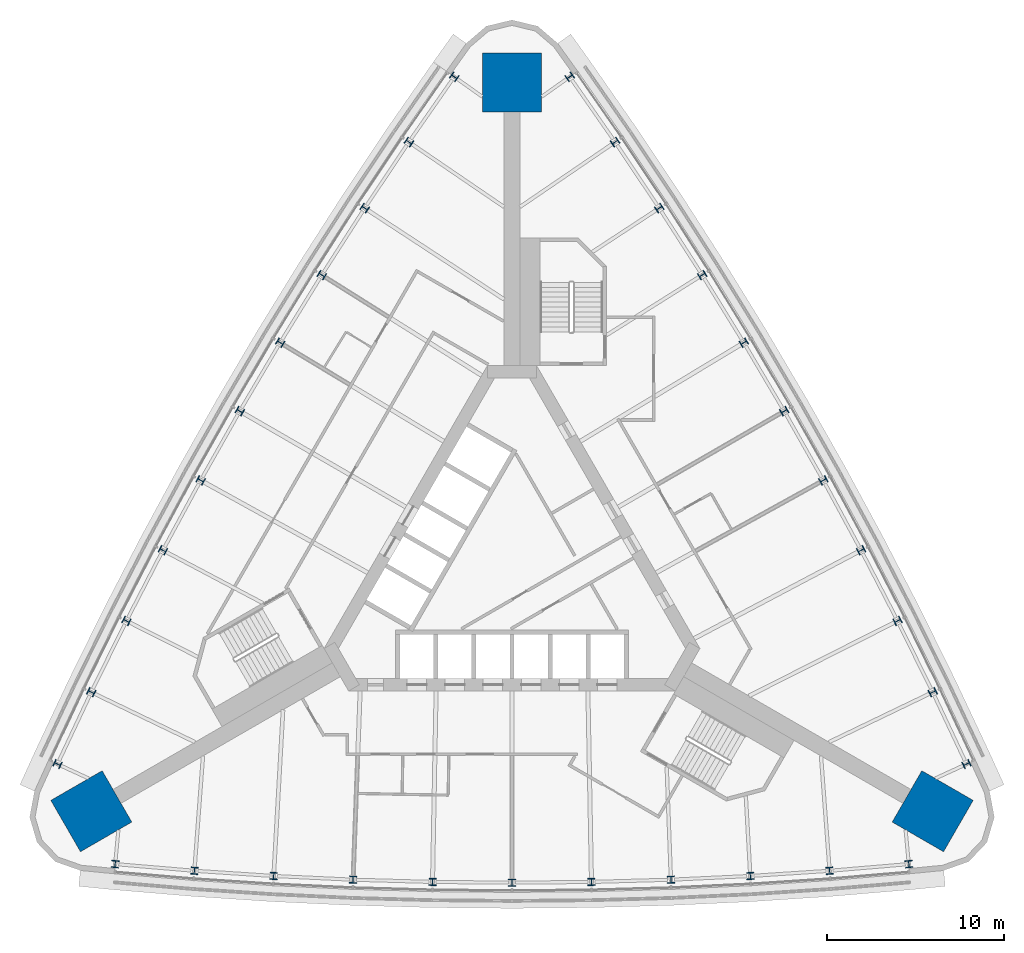
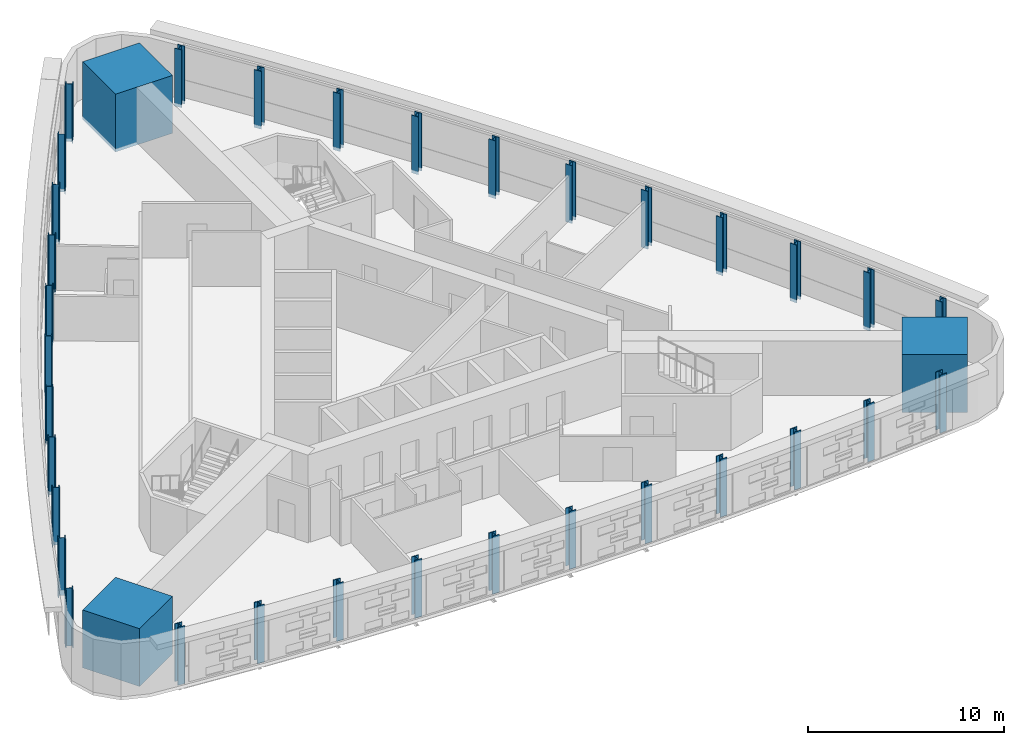
# One storey, part 1 of 14: 36 columns.
"""IFC4 building model written with IfcOpenShell, lengths in metres."""

import ifcopenshell
import ifcopenshell.guid

model = None  # the IFC model being written
_history = None  # IfcOwnerHistory: only IFC2X3 demands one
_inside = {}  # id of a spatial element -> (the spatial element, [elements in it])
_under = {}  # id of a project, library or spatial element -> (it, [spatial elements below it])
_declared = {}  # id of a project -> (the project, [libraries it declares])
_typed = {}  # id of a type object -> (the type object, [elements of that type])
_made_of = {}  # id of a material, layer set ... -> (it, [elements and type objects made of it])


def new_model(schema):
    """Start an empty IFC model of exactly this schema.

    Asked for "IFC4X3", IfcOpenShell would pick the latest addendum, in which some entities
    have other attributes; the version numbers below select the first issue.
    IFC2X3 requires an IfcOwnerHistory on every rooted entity: one is made here for all.
    """
    global model, _history
    if schema == "IFC4X3":
        model = ifcopenshell.file(schema_version=(4, 3, 0, 0))
    else:
        model = ifcopenshell.file(schema=schema)
    _inside.clear()
    _under.clear()
    _declared.clear()
    _typed.clear()
    _made_of.clear()
    _history = None
    if model.schema == "IFC2X3":
        org = make("IfcOrganization", Name="unknown")
        user = make(
            "IfcPersonAndOrganization",
            ThePerson=make("IfcPerson", FamilyName="unknown"),
            TheOrganization=org,
        )
        app = make(
            "IfcApplication",
            ApplicationDeveloper=org,
            Version="unknown",
            ApplicationFullName="unknown",
            ApplicationIdentifier="unknown",
        )
        _history = make(
            "IfcOwnerHistory",
            OwningUser=user,
            OwningApplication=app,
            ChangeAction="ADDED",
            CreationDate=0,
        )
    return model


def make(cls, **values):
    """One entity of the class cls with the attributes given. An attribute that is None is left unset."""
    return model.create_entity(
        cls, **{name: value for name, value in values.items() if value is not None}
    )


def rooted(cls, **values):
    """An entity with a GlobalId (a new one), such as an element, a storey or a relation."""
    return make(cls, GlobalId=ifcopenshell.guid.new(), OwnerHistory=_history, **values)


def si_unit(unit_type, name, prefix=None):
    """IfcSIUnit, for example si_unit("LENGTHUNIT", "METRE", prefix="MILLI")."""
    return make("IfcSIUnit", UnitType=unit_type, Prefix=prefix, Name=name)


def assignment(units):
    """IfcUnitAssignment: the units of a project."""
    return None if units is None else make("IfcUnitAssignment", Units=units)


def point(xyz):
    """IfcCartesianPoint."""
    return None if xyz is None else make("IfcCartesianPoint", Coordinates=xyz)


def direction(xyz):
    """IfcDirection."""
    return None if xyz is None else make("IfcDirection", DirectionRatios=xyz)


def frame(location, z_axis=None, x_axis=None):
    """IfcAxis2Placement3D, a coordinate frame: its origin and axes. An axis left out is left unset."""
    return make(
        "IfcAxis2Placement3D",
        Location=point(location),
        Axis=direction(z_axis),
        RefDirection=direction(x_axis),
    )


def frame_2d(location, x_axis=None):
    """IfcAxis2Placement2D, a coordinate frame in the plane: its origin and x axis."""
    return make(
        "IfcAxis2Placement2D", Location=point(location), RefDirection=direction(x_axis)
    )


def origin():
    """The frame at (0, 0, 0) with its axes left unset."""
    return frame((0.0, 0.0, 0.0))


def origin_2d():
    """The frame at (0, 0) in the plane with its x axis left unset."""
    return frame_2d((0.0, 0.0))


def place(relative_to, where):
    """IfcLocalPlacement: puts the frame where relative to a parent placement (None: the world)."""
    return make(
        "IfcLocalPlacement", PlacementRelTo=relative_to, RelativePlacement=where
    )


def context(
    kind, dimensions, precision=None, world=None, true_north=None, identifier=None
):
    """IfcGeometricRepresentationContext, for example the 3D "Model" context."""
    return make(
        "IfcGeometricRepresentationContext",
        ContextIdentifier=identifier,
        ContextType=kind,
        CoordinateSpaceDimension=dimensions,
        Precision=precision,
        WorldCoordinateSystem=world,
        TrueNorth=true_north,
    )


def subcontext(parent, identifier, kind, view, scale=None):
    """IfcGeometricRepresentationSubContext, for example "Body" below "Model"."""
    return make(
        "IfcGeometricRepresentationSubContext",
        ContextIdentifier=identifier,
        ContextType=kind,
        ParentContext=parent,
        TargetScale=scale,
        TargetView=view,
    )


def project(units=None, contexts=None):
    """IfcProject with its units and contexts."""
    return rooted(
        "IfcProject",
        Name="project",
        RepresentationContexts=contexts,
        UnitsInContext=assignment(units),
    )


def spatial(cls, under=None, at=None, **own):
    """A site, building, storey or space (cls), placed at a placement, below another one or the project."""
    s = rooted(cls, ObjectPlacement=at, **own)
    if under is not None:
        _under.setdefault(under.id(), (under, []))[1].append(s)
    return s


def profile(cls, at=None, kind="AREA", **sizes):
    """A parametric profile (cls). Its sizes go by their IFC names, for example OverallWidth=200.0."""
    return make(cls, ProfileType=kind, Position=at, **sizes)


def rectangle(**sizes):
    """IfcRectangleProfileDef."""
    return profile("IfcRectangleProfileDef", **sizes)


def i_section(**sizes):
    """IfcIShapeProfileDef."""
    return profile("IfcIShapeProfileDef", **sizes)


def extrude(swept, where, along, depth):
    """IfcExtrudedAreaSolid: the profile swept, set in the frame where, extruded along a direction by depth."""
    return make(
        "IfcExtrudedAreaSolid",
        SweptArea=swept,
        Position=where,
        ExtrudedDirection=direction(along),
        Depth=depth,
    )


def shape(context_of_items, identifier, shape_type, items):
    """IfcShapeRepresentation: the items that make up one representation, for example the "Body"."""
    return make(
        "IfcShapeRepresentation",
        ContextOfItems=context_of_items,
        RepresentationIdentifier=identifier,
        RepresentationType=shape_type,
        Items=items,
    )


def material(Name=None, Category=None):
    """IfcMaterial."""
    return make("IfcMaterial", Name=Name, Category=Category)


def material_profile(
    of_material, cross_section, Name=None, Category=None, Priority=None
):
    """IfcMaterialProfile: a cross section and its material."""
    return make(
        "IfcMaterialProfile",
        Name=Name,
        Material=of_material,
        Profile=cross_section,
        Priority=Priority,
        Category=Category,
    )


def profile_set(profiles, Name=None, composite=None):
    """IfcMaterialProfileSet."""
    return make(
        "IfcMaterialProfileSet",
        Name=Name,
        MaterialProfiles=profiles,
        CompositeProfile=composite,
    )


def made_of(thing, what):
    """Note that an element or type object is made of a material, layer set ...; save() writes the relation."""
    if what is not None:
        _made_of.setdefault(what.id(), (what, []))[1].append(thing)
    return thing


def type_object(cls, material=None, **own):
    """A type object (cls), such as IfcWallType, which elements share."""
    return made_of(rooted(cls, **own), material)


def element(
    cls,
    number,
    at=None,
    inside=None,
    cuts=None,
    type_object=None,
    material=None,
    context=None,
    identifier="Body",
    shape_type=None,
    held_by="IfcProductDefinitionShape",
    body=None,
    shapes=None,
    **own,
):
    """One element of the class cls, such as IfcWall. Its Tag is "e" and its number.

    at: its placement. inside: the storey or other place that contains it. cuts: it is an
    opening in that element (IfcRelVoidsElement). A single representation is given by context,
    identifier, shape_type and body (its items); several are given by shapes. held_by: the class
    of the entity that holds the representations. save() writes the other relations.
    """
    e = rooted(cls, Tag="e%d" % number, ObjectPlacement=at, **own)
    if body is not None:
        shapes = [shape(context, identifier, shape_type, body)]
    if shapes is not None:
        e.Representation = make(held_by, Representations=shapes)
    if inside is not None:
        _inside.setdefault(inside.id(), (inside, []))[1].append(e)
    if cuts is not None:
        rooted(
            "IfcRelVoidsElement", RelatingBuildingElement=cuts, RelatedOpeningElement=e
        )
    if type_object is not None:
        _typed.setdefault(type_object.id(), (type_object, []))[1].append(e)
    return made_of(e, material)


def aggregate(whole, parts):
    """IfcRelAggregates: a whole, such as a stair, and the parts it consists of."""
    return rooted("IfcRelAggregates", RelatingObject=whole, RelatedObjects=parts)


def save(model, path):
    """Write the relations noted so far, then the file.

    IfcRelAggregates (storeys below a building ...), IfcRelContainedInSpatialStructure (elements
    in a storey), IfcRelDefinesByType, IfcRelAssociatesMaterial and IfcRelDeclares: one each for
    every whole, place, type object, material and project.
    """
    for whole, parts in _under.values():
        aggregate(whole, parts)
    for where, things in _inside.values():
        rooted(
            "IfcRelContainedInSpatialStructure",
            RelatedElements=things,
            RelatingStructure=where,
        )
    for kind, things in _typed.values():
        rooted("IfcRelDefinesByType", RelatedObjects=things, RelatingType=kind)
    for what, things in _made_of.values():
        rooted("IfcRelAssociatesMaterial", RelatedObjects=things, RelatingMaterial=what)
    for by, libraries in _declared.values():
        rooted("IfcRelDeclares", RelatingContext=by, RelatedDefinitions=libraries)
    model.write(path)


model = new_model("IFC4")

# Units and contexts
model_context = context("Model", 3, precision=1e-05, world=origin(), true_north=direction((0.0, 1.0)))
body_context = subcontext(model_context, "Body", "Model", "MODEL_VIEW")
ifc_project = project(units=[si_unit("LENGTHUNIT", "METRE"), si_unit("AREAUNIT", "SQUARE_METRE"), si_unit("VOLUMEUNIT", "CUBIC_METRE"), si_unit("PLANEANGLEUNIT", "RADIAN"), si_unit("MASSUNIT", "GRAM", prefix="KILO")], contexts=[model_context])

# Site, building, storey
site_placement = place(None, origin())
site = spatial("IfcSite", under=ifc_project, at=site_placement, CompositionType="ELEMENT")
building_placement = place(site_placement, origin())
building = spatial("IfcBuilding", under=site, at=building_placement, Name="Noor Cloister Tower", CompositionType="ELEMENT")
storey_placement = place(building_placement, frame((0.0, 0.0, 42.0)))
storey = spatial("IfcBuildingStorey", under=building, at=storey_placement, Name="L10", CompositionType="ELEMENT", Elevation=42.0)

# Columns
ifc_material_1 = material(Name="Steel ASTM A992 Gr 50", Category="steel")
ifc_material_profile_1 = material_profile(ifc_material_1, i_section(OverallWidth=0.404052734375, OverallDepth=0.406005859375, WebThickness=0.027099609375, FlangeThickness=0.043701171875, FilletRadius=0.01513671875, at=origin_2d()), Name="W360x347")
ifc_profile_set_1 = profile_set([ifc_material_profile_1], Name="Steel ASTM A992 Gr 50")
column_type_1 = type_object("IfcColumnType", Name="Column W360x347", PredefinedType="COLUMN", material=ifc_profile_set_1)
for number, where, z_axis, x_axis, name in (
    (1, (-3.260498046875, 27.765869140625, -0.199951171875), (0.0, 0.0, 1.0), (-0.578783307573, -0.815481381072, 0.0), "Column NW 01 L10"),
    (2, (-5.82470703125, 24.08056640625, -0.199951171875), (0.0, 0.0, 1.0), (-0.563410841434, -0.826176871956, 0.0), "Column NW 02 L10"),
    (3, (-8.3193359375, 20.34765625, -0.199951171875), (0.0, 0.0, 1.0), (-0.547840783582, -0.836582617465, 0.0), "Column NW 03 L10"),
    (4, (-10.74365234375, 16.56884765625, -0.199951171875), (0.0, 0.0, 1.0), (-0.532078594563, -0.846694968219, 0.0), "Column NW 04 L10"),
    (5, (-13.0966796875, 12.745361328125, -0.199951171875), (0.0, 0.0, 1.0), (-0.516129802245, -0.856510377774, 0.0), "Column NW 05 L10"),
    (6, (-15.3779296875, 8.87841796875, -0.199951171875), (0.0, 0.0, 1.0), (-0.5, -0.866025403784, 0.0), "Column NW 06 L10"),
    (7, (-17.586181640625, 4.969482421875, -0.199951171875), (0.0, 0.0, 1.0), (-0.483694844635, -0.875236709282, 0.0), "Column NW 07 L10"),
    (8, (-19.720947265625, 1.019775390625, -0.199951171875), (0.0, 0.0, 1.0), (-0.467220054453, -0.884141063811, 0.0), "Column NW 08 L10"),
    (9, (-21.78125, -2.96923828125, -0.199951171875), (0.0, 0.0, 1.0), (-0.450581407298, -0.892735344543, 0.0), "Column NW 09 L10"),
    (10, (-23.7666015625, -6.99609375, -0.199951171875), (0.0, 0.0, 1.0), (-0.433784738416, -0.901016537427, 0.0), "Column NW 10 L10"),
    (11, (-25.67626953125, -11.059326171875, -0.199951171875), (0.0, 0.0, 1.0), (-0.416835938535, -0.908981738181, 0.0), "Column NW 11 L10"),
    (12, (-22.415771484375, -16.70654296875, -0.199951171875), (0.0, 0.0, 1.0), (0.995619246108, -0.093500357109, 0.0), "Column S 01 L10"),
    (13, (-17.94189453125, -17.08447265625, -0.199951171875), (0.0, 0.0, 1.0), (0.99719557985, -0.074839665471, 0.0), "Column S 02 L10"),
    (14, (-13.4619140625, -17.378662109375, -0.199951171875), (0.0, 0.0, 1.0), (0.99842219088, -0.056152727079, 0.0), "Column S 03 L10"),
    (15, (-8.977294921875, -17.588623046875, -0.199951171875), (0.0, 0.0, 1.0), (0.999298649016, -0.037446095592, 0.0), "Column S 04 L10"),
    (16, (-4.489501953125, -17.71484375, -0.199951171875), (0.0, 0.0, 1.0), (0.99982464688, -0.018726331508, 0.0), "Column S 05 L10"),
    (17, (0.0, -17.7568359375, -0.199951171875), (0.0, 0.0, 1.0), (1.0, 0.0, 0.0), "Column S 06 L10"),
    (18, (4.489501953125, -17.71484375, -0.199951171875), (0.0, 0.0, 1.0), (0.99982464688, 0.018726331508, 0.0), "Column S 07 L10"),
    (19, (8.977294921875, -17.588623046875, -0.199951171875), (0.0, 0.0, 1.0), (0.999298649016, 0.037446095592, 0.0), "Column S 08 L10"),
    (20, (13.4619140625, -17.378662109375, -0.199951171875), (0.0, 0.0, 1.0), (0.99842219088, 0.056152727079, 0.0), "Column S 09 L10"),
    (21, (17.94189453125, -17.08447265625, -0.199951171875), (0.0, 0.0, 1.0), (0.99719557985, 0.074839665471, 0.0), "Column S 10 L10"),
    (22, (22.415771484375, -16.70654296875, -0.199951171875), (0.0, 0.0, 1.0), (0.995619246108, 0.093500357109, 0.0), "Column S 11 L10"),
    (23, (25.67626953125, -11.059326171875, -0.199951171875), (0.0, 0.0, 1.0), (-0.416835938535, 0.908981738181, 0.0), "Column NE 01 L10"),
    (24, (23.7666015625, -6.99609375, -0.199951171875), (0.0, 0.0, 1.0), (-0.433784738416, 0.901016537427, 0.0), "Column NE 02 L10"),
    (25, (21.78125, -2.96923828125, -0.199951171875), (0.0, 0.0, 1.0), (-0.450581407298, 0.892735344543, 0.0), "Column NE 03 L10"),
    (26, (19.720947265625, 1.019775390625, -0.199951171875), (0.0, 0.0, 1.0), (-0.467220054453, 0.884141063811, 0.0), "Column NE 04 L10"),
    (27, (17.586181640625, 4.969482421875, -0.199951171875), (0.0, 0.0, 1.0), (-0.483694844635, 0.875236709282, 0.0), "Column NE 05 L10"),
    (28, (15.3779296875, 8.87841796875, -0.199951171875), (0.0, 0.0, 1.0), (-0.5, 0.866025403784, 0.0), "Column NE 06 L10"),
    (29, (13.0966796875, 12.745361328125, -0.199951171875), (0.0, 0.0, 1.0), (-0.516129802245, 0.856510377774, 0.0), "Column NE 07 L10"),
    (30, (10.74365234375, 16.56884765625, -0.199951171875), (0.0, 0.0, 1.0), (-0.532078594563, 0.846694968219, 0.0), "Column NE 08 L10"),
    (31, (8.3193359375, 20.34765625, -0.199951171875), (0.0, 0.0, 1.0), (-0.547840783582, 0.836582617465, 0.0), "Column NE 09 L10"),
    (32, (5.82470703125, 24.08056640625, -0.199951171875), (0.0, 0.0, 1.0), (-0.563410841434, 0.826176871956, 0.0), "Column NE 10 L10"),
    (33, (3.260498046875, 27.765869140625, -0.199951171875), (0.0, 0.0, 1.0), (-0.578783307573, 0.815481381072, 0.0), "Column NE 11 L10"),
):
    element("IfcColumn", number, at=place(storey_placement, frame(where, z_axis=z_axis, x_axis=x_axis)), inside=storey, type_object=column_type_1, Name=name, PredefinedType="COLUMN", context=body_context, shape_type="SweptSolid", body=[
        extrude(i_section(OverallWidth=0.404052734375, OverallDepth=0.406005859375, WebThickness=0.027099609375, FlangeThickness=0.043701171875, FilletRadius=0.01513671875, at=origin_2d()), origin(), (0.0, 0.0, 1.0), 3.599853515625),
    ])
ifc_material_2 = material(Name="Concrete C80/95", Category="concrete")
ifc_material_profile_2 = material_profile(ifc_material_2, rectangle(XDim=3.35009765625, YDim=3.35009765625, at=origin_2d()), Name="RC 3350x3350")
ifc_profile_set_2 = profile_set([ifc_material_profile_2], Name="Concrete C80/95")
column_type_2 = type_object("IfcColumnType", Name="Corner pier 3350 x 3350 C80/95", PredefinedType="COLUMN", material=ifc_profile_set_2)
for number, where, z_axis, x_axis, name in (
    (34, (0.0, 27.43994140625, -0.199951171875), (0.0, 0.0, 1.0), (0.0, 1.0, 0.0), "Corner pier N L10"),
    (35, (-23.763671875, -13.719970703125, -0.199951171875), (0.0, 0.0, 1.0), (-0.866025403784, -0.5, 0.0), "Corner pier SW L10"),
    (36, (23.763671875, -13.719970703125, -0.199951171875), (0.0, 0.0, 1.0), (0.866025403784, -0.5, 0.0), "Corner pier SE L10"),
):
    element("IfcColumn", number, at=place(storey_placement, frame(where, z_axis=z_axis, x_axis=x_axis)), inside=storey, type_object=column_type_2, Name=name, PredefinedType="COLUMN", context=body_context, shape_type="SweptSolid", body=[
        extrude(rectangle(XDim=3.35009765625, YDim=3.35009765625, at=origin_2d()), origin(), (0.0, 0.0, 1.0), 3.599853515625),
    ])

save(model, "model.ifc")
